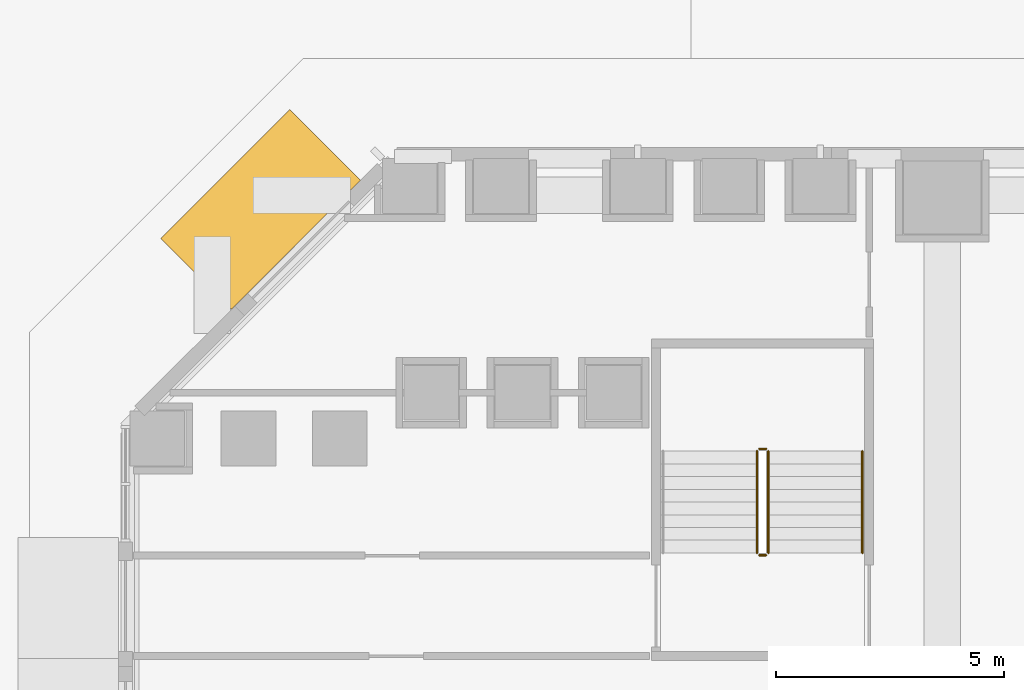
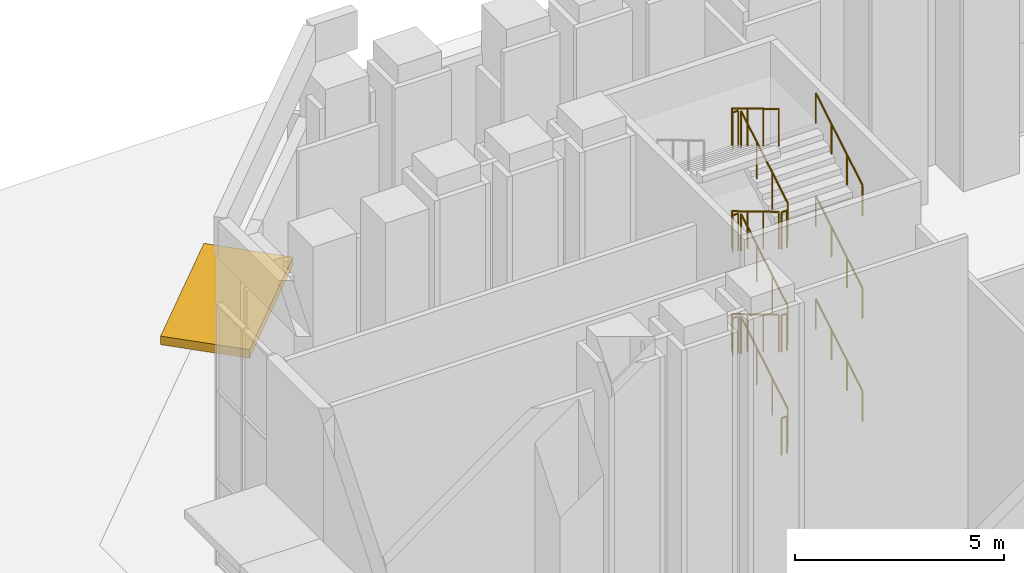
# One storey, part 45 of 51: 15 railings, 1 shading device.
"""IFC4 building model written with IfcOpenShell, lengths in metres."""

from ifc_helpers import new_model, si_unit, direction, frame, origin, origin_2d, place, context, subcontext, project, spatial, rectangle, circle, extrude, material, layer, layer_set, type_object, element, save


model = new_model("IFC4")

# Units and contexts
model_context = context("Model", 3, precision=1e-05, world=origin(), true_north=direction((0.0, 1.0)))
body_context = subcontext(model_context, "Body", "Model", "MODEL_VIEW")
ifc_project = project(units=[si_unit("LENGTHUNIT", "METRE"), si_unit("AREAUNIT", "SQUARE_METRE"), si_unit("VOLUMEUNIT", "CUBIC_METRE"), si_unit("PLANEANGLEUNIT", "RADIAN"), si_unit("MASSUNIT", "GRAM", prefix="KILO")], contexts=[model_context])

# Site, building, storey
site_placement = place(None, origin())
site = spatial("IfcSite", under=ifc_project, at=site_placement, CompositionType="ELEMENT")
building_placement = place(site_placement, origin())
building = spatial("IfcBuilding", under=site, at=building_placement, Name="Calabash Gate Tower", CompositionType="ELEMENT")
storey_placement = place(building_placement, origin())
storey = spatial("IfcBuildingStorey", under=building, at=storey_placement, Name="L00", CompositionType="ELEMENT", Elevation=0.0)

# Shading device
ifc_material_1 = material(Name="Steel framed canopy with laminated glass", Category="steel")
ifc_layer = layer(ifc_material_1, 0.25)
ifc_layer_set = layer_set([ifc_layer], Name="Entrance canopy 250")
shading_device_type = type_object("IfcShadingDeviceType", Name="Entrance canopy 250", PredefinedType="AWNING", material=ifc_layer_set)
shading_device_placement = place(storey_placement, frame((-46.937255859375, 23.689208984375, 3.60009765625), z_axis=(0.0, 0.0, 1.0), x_axis=(-0.707106781187, -0.707106781187, 0.0)))
element("IfcShadingDevice", 1, at=shading_device_placement, inside=storey, type_object=shading_device_type, Name="Entrance canopy 19", PredefinedType="AWNING", context=body_context, shape_type="SweptSolid", body=[
    extrude(rectangle(XDim=4.0, YDim=2.199951171875, at=origin_2d()), origin(), (0.0, 0.0, 1.0), 0.25),
])

# Railings
ifc_material_2 = material(Name="Black powder-coated steel balusters", Category="steel")
railing_type_1 = type_object("IfcRailingType", Name="Stair guard RL1100", PredefinedType="GUARDRAIL", material=ifc_material_2)
railing_1_placement = place(storey_placement, frame((-35.81005859375, 16.159912109375, 0.166748046875)))
element("IfcRailing", 2, at=railing_1_placement, inside=storey, type_object=railing_type_1, Name="L00 PS5 stair guard 1", PredefinedType="GUARDRAIL", context=body_context, shape_type="SweptSolid", body=[
    extrude(circle(Radius=0.02392578125, at=origin_2d()), frame((0.0, 0.0, 1.076171875), z_axis=(0.0, 0.8585185817, 0.512782453753), x_axis=(-1.0, 0.0, 0.0)), (0.0, 0.0, 1.0), 2.60009765625),
    extrude(circle(Radius=0.02099609375, at=origin_2d()), origin(), (0.0, 0.0, 1.0), 1.052001953125),
    extrude(circle(Radius=0.02099609375, at=origin_2d()), frame((0.0, 0.744140625, 0.4443359375)), (0.0, 0.0, 1.0), 1.052001953125),
    extrude(circle(Radius=0.02099609375, at=origin_2d()), frame((0.0, 1.488037109375, 0.888916015625)), (0.0, 0.0, 1.0), 1.052001953125),
    extrude(circle(Radius=0.02099609375, at=origin_2d()), frame((0.0, 2.232177734375, 1.333251953125)), (0.0, 0.0, 1.0), 1.052001953125),
])
railing_2_placement = place(storey_placement, frame((-35.860107421875, 18.44189453125, 1.5)))
element("IfcRailing", 3, at=railing_2_placement, inside=storey, type_object=railing_type_1, Name="L00 PS5 stair guard 2", PredefinedType="GUARDRAIL", context=body_context, shape_type="SweptSolid", body=[
    extrude(circle(Radius=0.02392578125, at=origin_2d()), frame((0.0, 0.0, 1.076171875), z_axis=(-1.0, 0.0, 0.0), x_axis=(0.0, -1.0, 0.0)), (0.0, 0.0, 1.0), 0.14990234375),
    extrude(circle(Radius=0.02099609375, at=origin_2d()), origin(), (0.0, 0.0, 1.0), 1.052001953125),
    extrude(circle(Radius=0.02099609375, at=origin_2d()), frame((-0.14990234375, 0.0, 0.0)), (0.0, 0.0, 1.0), 1.052001953125),
])
railing_3_placement = place(storey_placement, frame((-36.06005859375, 18.39208984375, 1.666748046875)))
element("IfcRailing", 4, at=railing_3_placement, inside=storey, type_object=railing_type_1, Name="L00 PS5 stair guard 3", PredefinedType="GUARDRAIL", context=body_context, shape_type="SweptSolid", body=[
    extrude(circle(Radius=0.02392578125, at=origin_2d()), frame((0.0, 0.0, 1.076171875), z_axis=(0.0, -0.8585185817, 0.512782453753), x_axis=(1.0, 0.0, 0.0)), (0.0, 0.0, 1.0), 2.60009765625),
    extrude(circle(Radius=0.02099609375, at=origin_2d()), origin(), (0.0, 0.0, 1.0), 1.052001953125),
    extrude(circle(Radius=0.02099609375, at=origin_2d()), frame((0.0, -0.744140625, 0.4443359375)), (0.0, 0.0, 1.0), 1.052001953125),
    extrude(circle(Radius=0.02099609375, at=origin_2d()), frame((0.0, -1.488037109375, 0.888916015625)), (0.0, 0.0, 1.0), 1.052001953125),
    extrude(circle(Radius=0.02099609375, at=origin_2d()), frame((0.0, -2.232177734375, 1.333251953125)), (0.0, 0.0, 1.0), 1.052001953125),
])
railing_4_placement = place(storey_placement, frame((-35.860107421875, 16.110107421875, 3.0)))
element("IfcRailing", 5, at=railing_4_placement, inside=storey, type_object=railing_type_1, Name="L00 PS5 stair guard 4", PredefinedType="GUARDRAIL", context=body_context, shape_type="SweptSolid", body=[
    extrude(circle(Radius=0.02392578125, at=origin_2d()), frame((0.0, 0.0, 1.076171875), z_axis=(-1.0, 0.0, 0.0), x_axis=(0.0, -1.0, 0.0)), (0.0, 0.0, 1.0), 0.14990234375),
    extrude(circle(Radius=0.02099609375, at=origin_2d()), origin(), (0.0, 0.0, 1.0), 1.052001953125),
    extrude(circle(Radius=0.02099609375, at=origin_2d()), frame((-0.14990234375, 0.0, 0.0)), (0.0, 0.0, 1.0), 1.052001953125),
])
railing_5_placement = place(storey_placement, frame((-35.81005859375, 16.159912109375, 3.166748046875)))
element("IfcRailing", 6, at=railing_5_placement, inside=storey, type_object=railing_type_1, Name="L00 PS5 stair guard 5", PredefinedType="GUARDRAIL", context=body_context, shape_type="SweptSolid", body=[
    extrude(circle(Radius=0.02392578125, at=origin_2d()), frame((0.0, 0.0, 1.076171875), z_axis=(0.0, 0.8585185817, 0.512782453753), x_axis=(-1.0, 0.0, 0.0)), (0.0, 0.0, 1.0), 2.60009765625),
    extrude(circle(Radius=0.02099609375, at=origin_2d()), origin(), (0.0, 0.0, 1.0), 1.052001953125),
    extrude(circle(Radius=0.02099609375, at=origin_2d()), frame((0.0, 0.744140625, 0.4443359375)), (0.0, 0.0, 1.0), 1.052001953125),
    extrude(circle(Radius=0.02099609375, at=origin_2d()), frame((0.0, 1.488037109375, 0.888916015625)), (0.0, 0.0, 1.0), 1.052001953125),
    extrude(circle(Radius=0.02099609375, at=origin_2d()), frame((0.0, 2.232177734375, 1.333251953125)), (0.0, 0.0, 1.0), 1.052001953125),
])
railing_6_placement = place(storey_placement, frame((-35.860107421875, 18.44189453125, 4.5)))
element("IfcRailing", 7, at=railing_6_placement, inside=storey, type_object=railing_type_1, Name="L00 PS5 stair guard 6", PredefinedType="GUARDRAIL", context=body_context, shape_type="SweptSolid", body=[
    extrude(circle(Radius=0.02392578125, at=origin_2d()), frame((0.0, 0.0, 1.076171875), z_axis=(-1.0, 0.0, 0.0), x_axis=(0.0, -1.0, 0.0)), (0.0, 0.0, 1.0), 0.14990234375),
    extrude(circle(Radius=0.02099609375, at=origin_2d()), origin(), (0.0, 0.0, 1.0), 1.052001953125),
    extrude(circle(Radius=0.02099609375, at=origin_2d()), frame((-0.14990234375, 0.0, 0.0)), (0.0, 0.0, 1.0), 1.052001953125),
])
railing_7_placement = place(storey_placement, frame((-36.06005859375, 18.39208984375, 4.666748046875)))
element("IfcRailing", 8, at=railing_7_placement, inside=storey, type_object=railing_type_1, Name="L00 PS5 stair guard 7", PredefinedType="GUARDRAIL", context=body_context, shape_type="SweptSolid", body=[
    extrude(circle(Radius=0.02392578125, at=origin_2d()), frame((0.0, 0.0, 1.076171875), z_axis=(0.0, -0.8585185817, 0.512782453753), x_axis=(1.0, 0.0, 0.0)), (0.0, 0.0, 1.0), 2.60009765625),
    extrude(circle(Radius=0.02099609375, at=origin_2d()), origin(), (0.0, 0.0, 1.0), 1.052001953125),
    extrude(circle(Radius=0.02099609375, at=origin_2d()), frame((0.0, -0.744140625, 0.4443359375)), (0.0, 0.0, 1.0), 1.052001953125),
    extrude(circle(Radius=0.02099609375, at=origin_2d()), frame((0.0, -1.488037109375, 0.888916015625)), (0.0, 0.0, 1.0), 1.052001953125),
    extrude(circle(Radius=0.02099609375, at=origin_2d()), frame((0.0, -2.232177734375, 1.333251953125)), (0.0, 0.0, 1.0), 1.052001953125),
])
railing_8_placement = place(storey_placement, frame((-35.860107421875, 16.110107421875, 6.0)))
element("IfcRailing", 9, at=railing_8_placement, inside=storey, type_object=railing_type_1, Name="L00 PS5 stair guard 8", PredefinedType="GUARDRAIL", context=body_context, shape_type="SweptSolid", body=[
    extrude(circle(Radius=0.02392578125, at=origin_2d()), frame((0.0, 0.0, 1.076171875), z_axis=(-1.0, 0.0, 0.0), x_axis=(0.0, -1.0, 0.0)), (0.0, 0.0, 1.0), 0.14990234375),
    extrude(circle(Radius=0.02099609375, at=origin_2d()), origin(), (0.0, 0.0, 1.0), 1.052001953125),
    extrude(circle(Radius=0.02099609375, at=origin_2d()), frame((-0.14990234375, 0.0, 0.0)), (0.0, 0.0, 1.0), 1.052001953125),
])
railing_9_placement = place(storey_placement, frame((-35.81005859375, 16.159912109375, 6.166748046875)))
element("IfcRailing", 10, at=railing_9_placement, inside=storey, type_object=railing_type_1, Name="L00 PS5 stair guard 9", PredefinedType="GUARDRAIL", context=body_context, shape_type="SweptSolid", body=[
    extrude(circle(Radius=0.02392578125, at=origin_2d()), frame((0.0, 0.0, 1.076171875), z_axis=(0.0, 0.8585185817, 0.512782453753), x_axis=(-1.0, 0.0, 0.0)), (0.0, 0.0, 1.0), 2.60009765625),
    extrude(circle(Radius=0.02099609375, at=origin_2d()), origin(), (0.0, 0.0, 1.0), 1.052001953125),
    extrude(circle(Radius=0.02099609375, at=origin_2d()), frame((0.0, 0.744140625, 0.4443359375)), (0.0, 0.0, 1.0), 1.052001953125),
    extrude(circle(Radius=0.02099609375, at=origin_2d()), frame((0.0, 1.488037109375, 0.888916015625)), (0.0, 0.0, 1.0), 1.052001953125),
    extrude(circle(Radius=0.02099609375, at=origin_2d()), frame((0.0, 2.232177734375, 1.333251953125)), (0.0, 0.0, 1.0), 1.052001953125),
])
railing_10_placement = place(storey_placement, frame((-35.860107421875, 18.44189453125, 7.5)))
element("IfcRailing", 11, at=railing_10_placement, inside=storey, type_object=railing_type_1, Name="L00 PS5 stair guard 10", PredefinedType="GUARDRAIL", context=body_context, shape_type="SweptSolid", body=[
    extrude(circle(Radius=0.02392578125, at=origin_2d()), frame((0.0, 0.0, 1.076171875), z_axis=(-1.0, 0.0, 0.0), x_axis=(0.0, -1.0, 0.0)), (0.0, 0.0, 1.0), 0.14990234375),
    extrude(circle(Radius=0.02099609375, at=origin_2d()), origin(), (0.0, 0.0, 1.0), 1.052001953125),
    extrude(circle(Radius=0.02099609375, at=origin_2d()), frame((-0.14990234375, 0.0, 0.0)), (0.0, 0.0, 1.0), 1.052001953125),
])
railing_11_placement = place(storey_placement, frame((-36.06005859375, 18.39208984375, 7.666748046875)))
element("IfcRailing", 12, at=railing_11_placement, inside=storey, type_object=railing_type_1, Name="L00 PS5 stair guard 11", PredefinedType="GUARDRAIL", context=body_context, shape_type="SweptSolid", body=[
    extrude(circle(Radius=0.02392578125, at=origin_2d()), frame((0.0, 0.0, 1.076171875), z_axis=(0.0, -0.8585185817, 0.512782453753), x_axis=(1.0, 0.0, 0.0)), (0.0, 0.0, 1.0), 2.60009765625),
    extrude(circle(Radius=0.02099609375, at=origin_2d()), origin(), (0.0, 0.0, 1.0), 1.052001953125),
    extrude(circle(Radius=0.02099609375, at=origin_2d()), frame((0.0, -0.744140625, 0.4443359375)), (0.0, 0.0, 1.0), 1.052001953125),
    extrude(circle(Radius=0.02099609375, at=origin_2d()), frame((0.0, -1.488037109375, 0.888916015625)), (0.0, 0.0, 1.0), 1.052001953125),
    extrude(circle(Radius=0.02099609375, at=origin_2d()), frame((0.0, -2.232177734375, 1.333251953125)), (0.0, 0.0, 1.0), 1.052001953125),
])
railing_12_placement = place(storey_placement, frame((-35.860107421875, 16.110107421875, 0.0)))
element("IfcRailing", 13, at=railing_12_placement, inside=storey, type_object=railing_type_1, Name="L00 PS5 stair guard 12", PredefinedType="GUARDRAIL", context=body_context, shape_type="SweptSolid", body=[
    extrude(circle(Radius=0.02392578125, at=origin_2d()), frame((0.0, 0.0, 1.076171875), z_axis=(-1.0, 0.0, 0.0), x_axis=(0.0, -1.0, 0.0)), (0.0, 0.0, 1.0), 0.14990234375),
    extrude(circle(Radius=0.02099609375, at=origin_2d()), origin(), (0.0, 0.0, 1.0), 1.052001953125),
    extrude(circle(Radius=0.02099609375, at=origin_2d()), frame((-0.14990234375, 0.0, 0.0)), (0.0, 0.0, 1.0), 1.052001953125),
])
ifc_material_3 = material(Name="Black powder-coated steel tube 48 mm", Category="steel")
railing_type_2 = type_object("IfcRailingType", Name="Stair handrail RL900", PredefinedType="HANDRAIL", material=ifc_material_3)
for number, where, name in (
    (14, (-33.75, 16.159912109375, 0.166748046875), "L00 PS5 stair handrail 1"),
    (15, (-33.75, 16.159912109375, 3.166748046875), "L00 PS5 stair handrail 3"),
    (16, (-33.75, 16.159912109375, 6.166748046875), "L00 PS5 stair handrail 5"),
):
    element("IfcRailing", number, at=place(storey_placement, frame(where)), inside=storey, type_object=railing_type_2, Name=name, PredefinedType="HANDRAIL", context=body_context, shape_type="SweptSolid", body=[
        extrude(circle(Radius=0.02392578125, at=origin_2d()), frame((0.0, 0.0, 0.8759765625), z_axis=(0.0, 0.8585185817, 0.512782453753), x_axis=(-1.0, 0.0, 0.0)), (0.0, 0.0, 1.0), 2.60009765625),
        extrude(circle(Radius=0.02099609375, at=origin_2d()), origin(), (0.0, 0.0, 1.0), 0.851806640625),
        extrude(circle(Radius=0.02099609375, at=origin_2d()), frame((0.0, 0.744140625, 0.4443359375)), (0.0, 0.0, 1.0), 0.851806640625),
        extrude(circle(Radius=0.02099609375, at=origin_2d()), frame((0.0, 1.488037109375, 0.888916015625)), (0.0, 0.0, 1.0), 0.851806640625),
        extrude(circle(Radius=0.02099609375, at=origin_2d()), frame((0.0, 2.232177734375, 1.333251953125)), (0.0, 0.0, 1.0), 0.851806640625),
    ])

save(model, "model.ifc")
